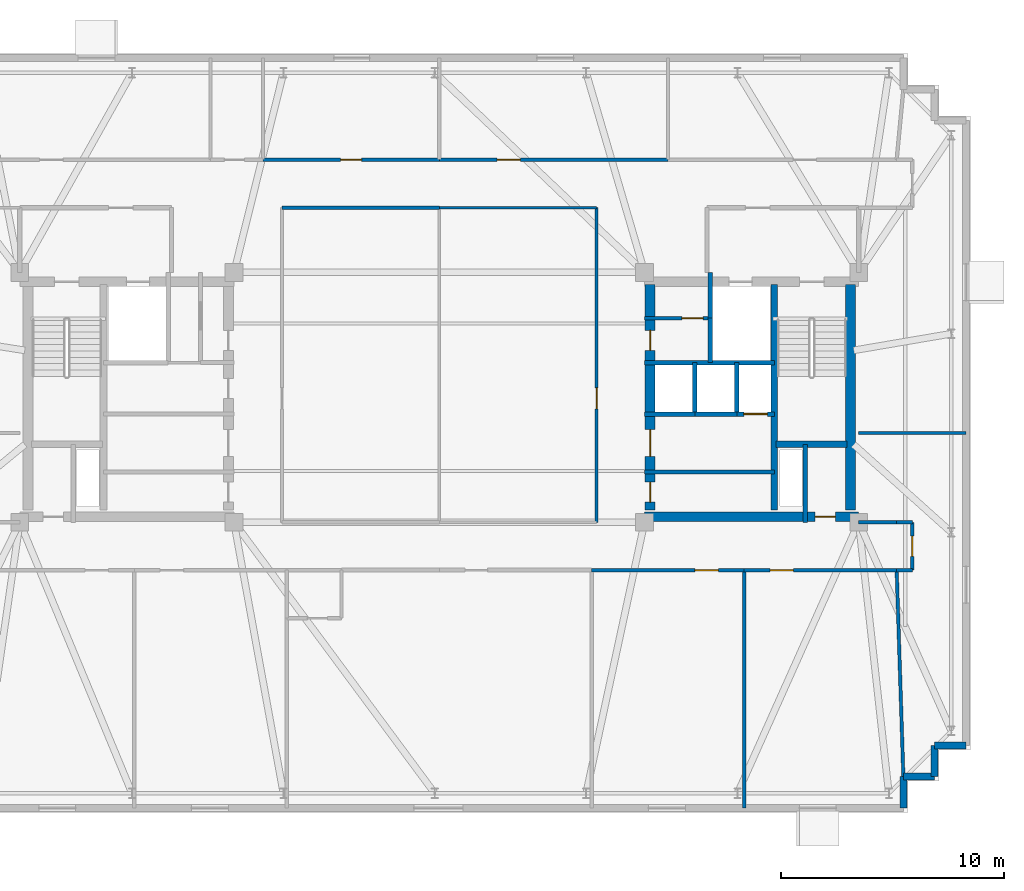
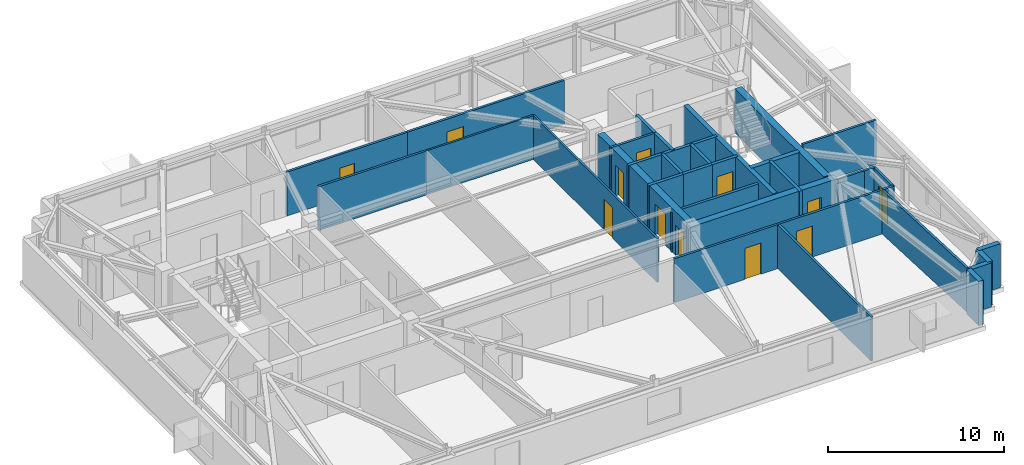
# One storey, part 7 of 10: 34 walls, 12 doors, 12 openings.
"""IFC4 building model written with IfcOpenShell, lengths in metres."""

from ifc_helpers import new_model, si_unit, direction, frame, frame_2d, origin, place, context, subcontext, project, spatial, rectangle, extrude, material, layer, layer_set, type_object, element, fill, save


model = new_model("IFC4")

# Units and contexts
model_context = context("Model", 3, precision=1e-05, world=origin(), true_north=direction((0.0, 1.0)))
body_context = subcontext(model_context, "Body", "Model", "MODEL_VIEW")
ifc_project = project(units=[si_unit("LENGTHUNIT", "METRE"), si_unit("AREAUNIT", "SQUARE_METRE"), si_unit("VOLUMEUNIT", "CUBIC_METRE"), si_unit("PLANEANGLEUNIT", "RADIAN"), si_unit("MASSUNIT", "GRAM", prefix="KILO")], contexts=[model_context])

# Site, building, storey
site_placement = place(None, origin())
site = spatial("IfcSite", under=ifc_project, at=site_placement, CompositionType="ELEMENT")
building_placement = place(site_placement, origin())
building = spatial("IfcBuilding", under=site, at=building_placement, Name="Qobustan Lattice House", CompositionType="ELEMENT")
storey_placement = place(building_placement, frame((0.0, 0.0, 238.35009765625)))
storey = spatial("IfcBuildingStorey", under=building, at=storey_placement, Name="L67", CompositionType="ELEMENT", Elevation=238.35009765625)

# Wall, opening, door
ifc_material_1 = material(Name="Concrete C50/60", Category="concrete")
ifc_layer_1 = layer(ifc_material_1, 0.43994140625)
ifc_layer_set_1 = layer_set([ifc_layer_1], Name="Concrete C50/60")
wall_type_1 = type_object("IfcWallType", Name="WAL-CORE-440", PredefinedType="SHEAR", material=ifc_layer_set_1)
wall_1_placement = place(storey_placement, frame((9.199951171875, -5.35009765625, 0.0), z_axis=(0.0, 0.0, 1.0), x_axis=(1.0, 0.0, 0.0)))
wall_1 = element("IfcWall", 1, at=wall_1_placement, inside=storey, type_object=wall_type_1, Name="L67 split-core shear wall CE-S", PredefinedType="SHEAR", context=body_context, shape_type="SweptSolid", body=[
    extrude(rectangle(XDim=9.60009765625, YDim=0.43994140625, at=frame_2d((4.800048828125, 0.0))), origin(), (0.0, 0.0, 1.0), 3.039794921875),
])
opening_1_placement = place(wall_1_placement, frame((7.64990234375, 0.0, 0.0)))
opening_1 = element("IfcOpeningElement", 2, at=opening_1_placement, cuts=wall_1, Name="Opening RD-01", PredefinedType="OPENING", context=body_context, shape_type="SweptSolid", body=[
    extrude(rectangle(XDim=0.89990234375, YDim=2.10009765625, at=frame_2d((0.449951171875, 1.050048828125))), frame((0.0, 0.22998046875, 0.0), z_axis=(0.0, -1.0, 0.0), x_axis=(1.0, 0.0, 0.0)), (0.0, 0.0, 1.0), 0.4599609375),
])
ifc_material_2 = material(Name="Persian walnut timber and steel frame door", Category="steel")
door_type_1 = type_object("IfcDoorType", Name="DOR-RISER-FD-900x2100", OperationType="NOTDEFINED", PredefinedType="DOOR", material=ifc_material_2)
door_1_placement = place(opening_1_placement, origin())
door_1 = element("IfcDoor", 3, at=door_1_placement, inside=storey, type_object=door_type_1, Name="L67 core service riser access door E", OperationType="SINGLE_SWING_LEFT", OverallHeight=2.10009765625, OverallWidth=0.89990234375, PredefinedType="DOOR", context=body_context, shape_type="SweptSolid", body=[
    extrude(rectangle(XDim=0.89990234375, YDim=2.10009765625, at=frame_2d((0.449951171875, 1.050048828125))), frame((0.0, 0.02490234375, 0.0), z_axis=(0.0, -1.0, 0.0), x_axis=(1.0, 0.0, 0.0)), (0.0, 0.0, 1.0), 0.050048828125),
])
fill(opening_1, door_1)

# Wall, openings, doors
wall_2_placement = place(storey_placement, frame((9.449951171875, -5.050048828125, 0.0), z_axis=(0.0, 0.0, 1.0), x_axis=(0.0, 1.0, 0.0)))
wall_2 = element("IfcWall", 4, at=wall_2_placement, inside=storey, type_object=wall_type_1, Name="L67 split-core shear wall CE-W", PredefinedType="SHEAR", context=body_context, shape_type="SweptSolid", body=[
    extrude(rectangle(XDim=10.10009765625, YDim=0.43994140625, at=frame_2d((5.050048828125, 0.0))), origin(), (0.0, 0.0, 1.0), 3.039794921875),
])
opening_2_placement = place(wall_2_placement, frame((7.14990234375, 0.0, 0.0)))
opening_2 = element("IfcOpeningElement", 5, at=opening_2_placement, cuts=wall_2, Name="Opening RD-01", PredefinedType="OPENING", context=body_context, shape_type="SweptSolid", body=[
    extrude(rectangle(XDim=0.89990234375, YDim=2.10009765625, at=frame_2d((0.449951171875, 1.050048828125))), frame((0.0, 0.22998046875, 0.0), z_axis=(0.0, -1.0, 0.0), x_axis=(1.0, 0.0, 0.0)), (0.0, 0.0, 1.0), 0.4599609375),
])
opening_3_placement = place(wall_2_placement, frame((2.39990234375, 0.0, 0.0)))
opening_3 = element("IfcOpeningElement", 6, at=opening_3_placement, cuts=wall_2, Name="Opening FD-01", PredefinedType="OPENING", context=body_context, shape_type="SweptSolid", body=[
    extrude(rectangle(XDim=1.199951171875, YDim=2.14990234375, at=frame_2d((0.60009765625, 1.074951171875))), frame((0.0, 0.22998046875, 0.0), z_axis=(0.0, -1.0, 0.0), x_axis=(1.0, 0.0, 0.0)), (0.0, 0.0, 1.0), 0.4599609375),
])
opening_4_placement = place(wall_2_placement, frame((0.35009765625, 0.0, 0.0)))
opening_4 = element("IfcOpeningElement", 7, at=opening_4_placement, cuts=wall_2, Name="Opening RD-01", PredefinedType="OPENING", context=body_context, shape_type="SweptSolid", body=[
    extrude(rectangle(XDim=0.89990234375, YDim=2.10009765625, at=frame_2d((0.449951171875, 1.050048828125))), frame((0.0, 0.22998046875, 0.0), z_axis=(0.0, -1.0, 0.0), x_axis=(1.0, 0.0, 0.0)), (0.0, 0.0, 1.0), 0.4599609375),
])
ifc_material_3 = material(Name="Persian walnut timber and steel frame door", Category="steel")
door_type_2 = type_object("IfcDoorType", Name="DOR-LOBBY-FD-1200x2150", OperationType="NOTDEFINED", PredefinedType="DOOR", material=ifc_material_3)
door_2_placement = place(opening_3_placement, origin())
door_2 = element("IfcDoor", 8, at=door_2_placement, inside=storey, type_object=door_type_2, Name="L67 East passenger lift lobby fire door", OperationType="SINGLE_SWING_LEFT", OverallHeight=2.14990234375, OverallWidth=1.199951171875, PredefinedType="DOOR", context=body_context, shape_type="SweptSolid", body=[
    extrude(rectangle(XDim=1.199951171875, YDim=2.14990234375, at=frame_2d((0.60009765625, 1.074951171875))), frame((0.0, 0.02490234375, 0.0), z_axis=(0.0, -1.0, 0.0), x_axis=(1.0, 0.0, 0.0)), (0.0, 0.0, 1.0), 0.050048828125),
])
fill(opening_3, door_2)
door_3_placement = place(opening_2_placement, origin())
door_3 = element("IfcDoor", 9, at=door_3_placement, inside=storey, type_object=door_type_1, Name="L67 Housekeeping utility foyer fire door", OperationType="SINGLE_SWING_RIGHT", OverallHeight=2.10009765625, OverallWidth=0.89990234375, PredefinedType="DOOR", context=body_context, shape_type="SweptSolid", body=[
    extrude(rectangle(XDim=0.89990234375, YDim=2.10009765625, at=frame_2d((0.449951171875, 1.050048828125))), frame((0.0, 0.02490234375, 0.0), z_axis=(0.0, -1.0, 0.0), x_axis=(1.0, 0.0, 0.0)), (0.0, 0.0, 1.0), 0.050048828125),
])
fill(opening_2, door_3)
door_4_placement = place(opening_4_placement, origin())
door_4 = element("IfcDoor", 10, at=door_4_placement, inside=storey, type_object=door_type_1, Name="L67 Graduate seminar alcove fire door", OperationType="SINGLE_SWING_RIGHT", OverallHeight=2.10009765625, OverallWidth=0.89990234375, PredefinedType="DOOR", context=body_context, shape_type="SweptSolid", body=[
    extrude(rectangle(XDim=0.89990234375, YDim=2.10009765625, at=frame_2d((0.449951171875, 1.050048828125))), frame((0.0, 0.02490234375, 0.0), z_axis=(0.0, -1.0, 0.0), x_axis=(1.0, 0.0, 0.0)), (0.0, 0.0, 1.0), 0.050048828125),
])
fill(opening_4, door_4)

# Walls
wall_3_placement = place(storey_placement, frame((18.429931640625, -5.050048828125, 0.0), z_axis=(0.0, 0.0, 1.0), x_axis=(0.0, 1.0, 0.0)))
element("IfcWall", 11, at=wall_3_placement, inside=storey, type_object=wall_type_1, Name="L67 split-core shear wall CE-E", PredefinedType="SHEAR", context=body_context, shape_type="SweptSolid", body=[
    extrude(rectangle(XDim=10.10009765625, YDim=0.43994140625, at=frame_2d((5.050048828125, 0.0))), origin(), (0.0, 0.0, 1.0), 3.039794921875),
])
ifc_material_4 = material(Name="Concrete C50/60", Category="concrete")
ifc_layer_2 = layer(ifc_material_4, 0.280029296875)
ifc_layer_set_2 = layer_set([ifc_layer_2], Name="Concrete C50/60")
wall_type_2 = type_object("IfcWallType", Name="WAL-CORE-SPINE-280", PredefinedType="SHEAR", material=ifc_layer_set_2)
wall_4_placement = place(storey_placement, frame((15.02001953125, -5.050048828125, 0.0), z_axis=(0.0, 0.0, 1.0), x_axis=(0.0, 1.0, 0.0)))
element("IfcWall", 12, at=wall_4_placement, inside=storey, type_object=wall_type_2, Name="L67 split-core shear wall CE-M", PredefinedType="SHEAR", context=body_context, shape_type="SweptSolid", body=[
    extrude(rectangle(XDim=10.10009765625, YDim=0.300048828125, at=frame_2d((5.050048828125, 0.0))), origin(), (0.0, 0.0, 1.0), 3.039794921875),
])
wall_5_placement = place(storey_placement, frame((15.10009765625, -2.110107421875, 0.0), z_axis=(0.0, 0.0, 1.0), x_axis=(1.0, 0.0, 0.0)))
element("IfcWall", 13, at=wall_5_placement, inside=storey, type_object=wall_type_2, Name="L67 split-core shear wall CE-ST", PredefinedType="SHEAR", context=body_context, shape_type="SweptSolid", body=[
    extrude(rectangle(XDim=3.179931640625, YDim=0.300048828125, at=frame_2d((1.58984375, 0.0))), origin(), (0.0, 0.0, 1.0), 3.039794921875),
])
ifc_material_5 = material(Name="Precast concrete C40/50", Category="concrete")
ifc_layer_3 = layer(ifc_material_5, 0.320068359375)
ifc_layer_set_3 = layer_set([ifc_layer_3], Name="Precast concrete C40/50")
wall_type_3 = type_object("IfcWallType", Name="WAL-EXT-STONE-320", PredefinedType="SOLIDWALL", material=ifc_layer_set_3)
wall_6_placement = place(storey_placement, frame((23.60009765625, -15.60009765625, 0.0), z_axis=(0.0, 0.0, 1.0), x_axis=(-1.0, 0.0, 0.0)))
element("IfcWall", 14, at=wall_6_placement, inside=storey, type_object=wall_type_3, Name="L67 exterior limestone-clad wall 16", PredefinedType="SOLIDWALL", context=body_context, shape_type="SweptSolid", body=[
    extrude(rectangle(XDim=1.400146484375, YDim=0.320068359375, at=frame_2d((0.7001953125, 0.0))), origin(), (0.0, 0.0, 1.0), 3.039794921875),
])
for number, where, z_axis, x_axis, name in (
    (15, (22.199951171875, -15.60009765625, 0.0), (0.0, 0.0, 1.0), (0.0, -1.0, 0.0), "L67 exterior limestone-clad wall 17"),
    (16, (22.199951171875, -17.0, 0.0), (0.0, 0.0, 1.0), (-1.0, 0.0, 0.0), "L67 exterior limestone-clad wall 18"),
    (17, (20.800048828125, -17.0, 0.0), (0.0, 0.0, 1.0), (0.0, -1.0, 0.0), "L67 exterior limestone-clad wall 19"),
):
    element("IfcWall", number, at=place(storey_placement, frame(where, z_axis=z_axis, x_axis=x_axis)), inside=storey, type_object=wall_type_3, Name=name, PredefinedType="SOLIDWALL", context=body_context, shape_type="SweptSolid", body=[
        extrude(rectangle(XDim=1.39990234375, YDim=0.320068359375, at=frame_2d((0.699951171875, 0.0))), origin(), (0.0, 0.0, 1.0), 3.039794921875),
    ])
ifc_material_6 = material(Name="Gypsum fireboard acoustic partition", Category="gypsum")
ifc_layer_4 = layer(ifc_material_6, 0.179931640625)
ifc_layer_set_4 = layer_set([ifc_layer_4], Name="Gypsum fireboard acoustic partition")
wall_type_4 = type_object("IfcWallType", Name="WAL-FIRE-180", PredefinedType="PARTITIONING", material=ifc_layer_set_4)
wall_7_placement = place(storey_placement, frame((9.199951171875, -3.35009765625, 0.0), z_axis=(0.0, 0.0, 1.0), x_axis=(1.0, 0.0, 0.0)))
element("IfcWall", 18, at=wall_7_placement, inside=storey, type_object=wall_type_4, Name="L67 interior partition 23", PredefinedType="PARTITIONING", context=body_context, shape_type="SweptSolid", body=[
    extrude(rectangle(XDim=5.820068359375, YDim=0.179931640625, at=frame_2d((2.91015625, 0.0))), origin(), (0.0, 0.0, 1.0), 2.7548828125),
])
ifc_material_7 = material(Name="Lightweight acoustic stud partition", Category="gypsum")
ifc_layer_5 = layer(ifc_material_7, 0.125)
ifc_layer_set_5 = layer_set([ifc_layer_5], Name="Lightweight acoustic stud partition")
wall_type_5 = type_object("IfcWallType", Name="WAL-PART-125", PredefinedType="PARTITIONING", material=ifc_layer_set_5)
wall_8_placement = place(storey_placement, frame((7.050048828125, 8.5, 0.0), z_axis=(0.0, 0.0, 1.0), x_axis=(-1.0, 0.0, 0.0)))
element("IfcWall", 19, at=wall_8_placement, inside=storey, type_object=wall_type_5, Name="L67 interior partition 45", PredefinedType="PARTITIONING", context=body_context, shape_type="SweptSolid", body=[
    extrude(rectangle(XDim=7.050048828125, YDim=0.125, at=frame_2d((3.52490234375, 0.0))), origin(), (0.0, 0.0, 1.0), 3.039794921875),
])

# Wall, opening, door
wall_9_placement = place(storey_placement, frame((7.050048828125, -5.60009765625, 0.0), z_axis=(0.0, 0.0, 1.0), x_axis=(0.0, 1.0, 0.0)))
wall_9 = element("IfcWall", 20, at=wall_9_placement, inside=storey, type_object=wall_type_5, Name="L67 interior partition 64", PredefinedType="PARTITIONING", context=body_context, shape_type="SweptSolid", body=[
    extrude(rectangle(XDim=14.10009765625, YDim=0.125, at=frame_2d((7.050048828125, 0.0))), origin(), (0.0, 0.0, 1.0), 3.039794921875),
])
opening_5_placement = place(wall_9_placement, frame((5.076171875, 0.0, 0.0)))
opening_5 = element("IfcOpeningElement", 21, at=opening_5_placement, cuts=wall_9, Name="Opening ID-01", PredefinedType="OPENING", context=body_context, shape_type="SweptSolid", body=[
    extrude(rectangle(XDim=0.949951171875, YDim=2.10009765625, at=frame_2d((0.47509765625, 1.050048828125))), frame((0.0, 0.072509765625, 0.0), z_axis=(0.0, -1.0, 0.0), x_axis=(1.0, 0.0, 0.0)), (0.0, 0.0, 1.0), 0.14501953125),
])
ifc_material_8 = material(Name="Persian walnut timber and steel frame door", Category="steel")
door_type_3 = type_object("IfcDoorType", Name="DOR-ROOM-950x2100", OperationType="NOTDEFINED", PredefinedType="DOOR", material=ifc_material_8)
door_5_placement = place(opening_5_placement, origin())
door_5 = element("IfcDoor", 22, at=door_5_placement, inside=storey, type_object=door_type_3, Name="L67 East floor link corridor to Focus pod suite door", OperationType="SINGLE_SWING_RIGHT", OverallHeight=2.10009765625, OverallWidth=0.949951171875, PredefinedType="DOOR", context=body_context, shape_type="SweptSolid", body=[
    extrude(rectangle(XDim=0.949951171875, YDim=2.10009765625, at=frame_2d((0.47509765625, 1.050048828125))), frame((0.0, 0.02490234375, 0.0), z_axis=(0.0, -1.0, 0.0), x_axis=(1.0, 0.0, 0.0)), (0.0, 0.0, 1.0), 0.050048828125),
])
fill(opening_5, door_5)

ifc_material_9 = material(Name="Acoustic twin-stud gypsum partition", Category="gypsum")
ifc_layer_6 = layer(ifc_material_9, 0.14990234375)
ifc_layer_set_6 = layer_set([ifc_layer_6], Name="Acoustic twin-stud gypsum partition")
wall_type_6 = type_object("IfcWallType", Name="WAL-PART-150", PredefinedType="PARTITIONING", material=ifc_layer_set_6)
wall_10_placement = place(storey_placement, frame((12.14990234375, 3.550048828125, 0.0), z_axis=(0.0, 0.0, 1.0), x_axis=(-1.0, 0.0, 0.0)))
wall_10 = element("IfcWall", 23, at=wall_10_placement, inside=storey, type_object=wall_type_6, Name="L67 interior partition 21", PredefinedType="PARTITIONING", context=body_context, shape_type="SweptSolid", body=[
    extrude(rectangle(XDim=2.949951171875, YDim=0.14990234375, at=frame_2d((1.47509765625, 0.0))), origin(), (0.0, 0.0, 1.0), 3.039794921875),
])
opening_6_placement = place(wall_10_placement, frame((0.324951171875, 0.0, 0.0)))
opening_6 = element("IfcOpeningElement", 24, at=opening_6_placement, cuts=wall_10, Name="Opening ID-01", PredefinedType="OPENING", context=body_context, shape_type="SweptSolid", body=[
    extrude(rectangle(XDim=0.949951171875, YDim=2.10009765625, at=frame_2d((0.47509765625, 1.050048828125))), frame((0.0, 0.0849609375, 0.0), z_axis=(0.0, -1.0, 0.0), x_axis=(1.0, 0.0, 0.0)), (0.0, 0.0, 1.0), 0.169921875),
])
door_6_placement = place(opening_6_placement, origin())
door_6 = element("IfcDoor", 25, at=door_6_placement, inside=storey, type_object=door_type_3, Name="L67 Housekeeping utility foyer to Cleaner cupboard door", OperationType="SINGLE_SWING_LEFT", OverallHeight=2.10009765625, OverallWidth=0.949951171875, PredefinedType="DOOR", context=body_context, shape_type="SweptSolid", body=[
    extrude(rectangle(XDim=0.949951171875, YDim=2.10009765625, at=frame_2d((0.47509765625, 1.050048828125))), frame((0.0, 0.02490234375, 0.0), z_axis=(0.0, -1.0, 0.0), x_axis=(1.0, 0.0, 0.0)), (0.0, 0.0, 1.0), 0.050048828125),
])
fill(opening_6, door_6)

wall_11_placement = place(storey_placement, frame((-7.89990234375, 10.64990234375, 0.0), z_axis=(0.0, 0.0, 1.0), x_axis=(1.0, 0.0, 0.0)))
wall_11 = element("IfcWall", 26, at=wall_11_placement, inside=storey, type_object=wall_type_6, Name="L67 interior partition 37", PredefinedType="PARTITIONING", context=body_context, shape_type="SweptSolid", body=[
    extrude(rectangle(XDim=7.89990234375, YDim=0.14990234375, at=frame_2d((3.949951171875, 0.0))), origin(), (0.0, 0.0, 1.0), 3.039794921875),
])
opening_7_placement = place(wall_11_placement, frame((3.47509765625, 0.0, 0.0)))
opening_7 = element("IfcOpeningElement", 27, at=opening_7_placement, cuts=wall_11, Name="Opening ID-01", PredefinedType="OPENING", context=body_context, shape_type="SweptSolid", body=[
    extrude(rectangle(XDim=0.949951171875, YDim=2.10009765625, at=frame_2d((0.47509765625, 1.050048828125))), frame((0.0, 0.0849609375, 0.0), z_axis=(0.0, -1.0, 0.0), x_axis=(1.0, 0.0, 0.0)), (0.0, 0.0, 1.0), 0.169921875),
])
door_7_placement = place(opening_7_placement, origin())
door_7 = element("IfcDoor", 28, at=door_7_placement, inside=storey, type_object=door_type_3, Name="L67 North-west floor corridor to Laundry utility room door", OperationType="SINGLE_SWING_RIGHT", OverallHeight=2.10009765625, OverallWidth=0.949951171875, PredefinedType="DOOR", context=body_context, shape_type="SweptSolid", body=[
    extrude(rectangle(XDim=0.949951171875, YDim=2.10009765625, at=frame_2d((0.47509765625, 1.050048828125))), frame((0.0, 0.02490234375, 0.0), z_axis=(0.0, -1.0, 0.0), x_axis=(1.0, 0.0, 0.0)), (0.0, 0.0, 1.0), 0.050048828125),
])
fill(opening_7, door_7)

# Wall
wall_12_placement = place(storey_placement, frame((0.0, 8.5, 0.0), z_axis=(0.0, 0.0, 1.0), x_axis=(-1.0, 0.0, 0.0)))
element("IfcWall", 29, at=wall_12_placement, inside=storey, type_object=wall_type_6, Name="L67 interior partition 38", PredefinedType="PARTITIONING", context=body_context, shape_type="SweptSolid", body=[
    extrude(rectangle(XDim=7.050048828125, YDim=0.14990234375, at=frame_2d((3.52490234375, 0.0))), origin(), (0.0, 0.0, 1.0), 3.039794921875),
])

# Wall, opening, door
wall_13_placement = place(storey_placement, frame((0.0, 10.64990234375, 0.0), z_axis=(0.0, 0.0, 1.0), x_axis=(1.0, 0.0, 0.0)))
wall_13 = element("IfcWall", 30, at=wall_13_placement, inside=storey, type_object=wall_type_6, Name="L67 interior partition 43", PredefinedType="PARTITIONING", context=body_context, shape_type="SweptSolid", body=[
    extrude(rectangle(XDim=10.25, YDim=0.14990234375, at=frame_2d((5.125, 0.0))), origin(), (0.0, 0.0, 1.0), 3.039794921875),
])
opening_8_placement = place(wall_13_placement, frame((2.590087890625, 0.0, 0.0)))
opening_8 = element("IfcOpeningElement", 31, at=opening_8_placement, cuts=wall_13, Name="Opening ID-02", PredefinedType="OPENING", context=body_context, shape_type="SweptSolid", body=[
    extrude(rectangle(XDim=1.050048828125, YDim=2.14990234375, at=frame_2d((0.52490234375, 1.074951171875))), frame((0.0, 0.0849609375, 0.0), z_axis=(0.0, -1.0, 0.0), x_axis=(1.0, 0.0, 0.0)), (0.0, 0.0, 1.0), 0.169921875),
])
ifc_material_10 = material(Name="Persian walnut timber and steel frame door", Category="steel")
door_type_4 = type_object("IfcDoorType", Name="DOR-STUDY-1050x2150", OperationType="NOTDEFINED", PredefinedType="DOOR", material=ifc_material_10)
door_8_placement = place(opening_8_placement, origin())
door_8 = element("IfcDoor", 32, at=door_8_placement, inside=storey, type_object=door_type_4, Name="L67 North-east floor corridor to Focus study room N3 door", OperationType="SINGLE_SWING_RIGHT", OverallHeight=2.14990234375, OverallWidth=1.050048828125, PredefinedType="DOOR", context=body_context, shape_type="SweptSolid", body=[
    extrude(rectangle(XDim=1.050048828125, YDim=2.14990234375, at=frame_2d((0.52490234375, 1.074951171875))), frame((0.0, 0.02490234375, 0.0), z_axis=(0.0, -1.0, 0.0), x_axis=(1.0, 0.0, 0.0)), (0.0, 0.0, 1.0), 0.050048828125),
])
fill(opening_8, door_8)

wall_14_placement = place(storey_placement, frame((21.199951171875, -5.60009765625, 0.0), z_axis=(0.0, 0.0, 1.0), x_axis=(0.0, -1.0, 0.0)))
wall_14 = element("IfcWall", 33, at=wall_14_placement, inside=storey, type_object=wall_type_6, Name="L67 interior partition 55", PredefinedType="PARTITIONING", context=body_context, shape_type="SweptSolid", body=[
    extrude(rectangle(XDim=2.14990234375, YDim=0.14990234375, at=frame_2d((1.074951171875, 0.0))), origin(), (0.0, 0.0, 1.0), 3.039794921875),
])
opening_9_placement = place(wall_14_placement, frame((0.625, 0.0, 0.0)))
opening_9 = element("IfcOpeningElement", 34, at=opening_9_placement, cuts=wall_14, Name="Opening WD-01", PredefinedType="OPENING", context=body_context, shape_type="SweptSolid", body=[
    extrude(rectangle(XDim=0.89990234375, YDim=2.10009765625, at=frame_2d((0.449951171875, 1.050048828125))), frame((0.0, 0.0849609375, 0.0), z_axis=(0.0, -1.0, 0.0), x_axis=(1.0, 0.0, 0.0)), (0.0, 0.0, 1.0), 0.169921875),
])
ifc_material_11 = material(Name="Persian walnut timber and steel frame door", Category="steel")
door_type_5 = type_object("IfcDoorType", Name="DOR-WET-900x2100", OperationType="NOTDEFINED", PredefinedType="DOOR", material=ifc_material_11)
door_9_placement = place(opening_9_placement, origin())
door_9 = element("IfcDoor", 35, at=door_9_placement, inside=storey, type_object=door_type_5, Name="L67 South-east floor corridor to Fellows reading room door", OperationType="SINGLE_SWING_LEFT", OverallHeight=2.10009765625, OverallWidth=0.89990234375, PredefinedType="DOOR", context=body_context, shape_type="SweptSolid", body=[
    extrude(rectangle(XDim=0.89990234375, YDim=2.10009765625, at=frame_2d((0.449951171875, 1.050048828125))), frame((0.0, 0.02490234375, 0.0), z_axis=(0.0, -1.0, 0.0), x_axis=(1.0, 0.0, 0.0)), (0.0, 0.0, 1.0), 0.050048828125),
])
fill(opening_9, door_9)

# Walls
wall_15_placement = place(storey_placement, frame((18.800048828125, -5.60009765625, 0.0), z_axis=(0.0, 0.0, 1.0), x_axis=(1.0, 0.0, 0.0)))
element("IfcWall", 36, at=wall_15_placement, inside=storey, type_object=wall_type_6, Name="L67 interior partition 56", PredefinedType="PARTITIONING", context=body_context, shape_type="SweptSolid", body=[
    extrude(rectangle(XDim=1.699951171875, YDim=0.14990234375, at=frame_2d((0.85009765625, 0.0))), origin(), (0.0, 0.0, 1.0), 3.039794921875),
])
for number, where, z_axis, x_axis, name in (
    (37, (20.5, -5.60009765625, 0.0), (0.0, 0.0, 1.0), (1.0, 0.0, 0.0), "L67 interior partition 57"),
    (38, (21.199951171875, -7.75, 0.0), (0.0, 0.0, 1.0), (-1.0, 0.0, 0.0), "L67 interior partition 58"),
):
    element("IfcWall", number, at=place(storey_placement, frame(where, z_axis=z_axis, x_axis=x_axis)), inside=storey, type_object=wall_type_6, Name=name, PredefinedType="PARTITIONING", context=body_context, shape_type="SweptSolid", body=[
        extrude(rectangle(XDim=0.699951171875, YDim=0.14990234375, at=frame_2d((0.35009765625, 0.0))), origin(), (0.0, 0.0, 1.0), 3.039794921875),
    ])

# Wall, opening, door
wall_16_placement = place(storey_placement, frame((13.66650390625, -7.75, 0.0), z_axis=(0.0, 0.0, 1.0), x_axis=(-1.0, 0.0, 0.0)))
wall_16 = element("IfcWall", 39, at=wall_16_placement, inside=storey, type_object=wall_type_6, Name="L67 interior partition 60", PredefinedType="PARTITIONING", context=body_context, shape_type="SweptSolid", body=[
    extrude(rectangle(XDim=6.83349609375, YDim=0.14990234375, at=frame_2d((3.416748046875, 0.0))), origin(), (0.0, 0.0, 1.0), 3.039794921875),
])
opening_10_placement = place(wall_16_placement, frame((1.157958984375, 0.0, 0.0)))
opening_10 = element("IfcOpeningElement", 40, at=opening_10_placement, cuts=wall_16, Name="Opening ID-02", PredefinedType="OPENING", context=body_context, shape_type="SweptSolid", body=[
    extrude(rectangle(XDim=1.050048828125, YDim=2.14990234375, at=frame_2d((0.52490234375, 1.074951171875))), frame((0.0, 0.0849609375, 0.0), z_axis=(0.0, -1.0, 0.0), x_axis=(1.0, 0.0, 0.0)), (0.0, 0.0, 1.0), 0.169921875),
])
door_10_placement = place(opening_10_placement, origin())
door_10 = element("IfcDoor", 41, at=door_10_placement, inside=storey, type_object=door_type_4, Name="L67 South-east floor corridor to Group study room door", OperationType="SINGLE_SWING_LEFT", OverallHeight=2.14990234375, OverallWidth=1.050048828125, PredefinedType="DOOR", context=body_context, shape_type="SweptSolid", body=[
    extrude(rectangle(XDim=1.050048828125, YDim=2.14990234375, at=frame_2d((0.52490234375, 1.074951171875))), frame((0.0, 0.02490234375, 0.0), z_axis=(0.0, -1.0, 0.0), x_axis=(1.0, 0.0, 0.0)), (0.0, 0.0, 1.0), 0.050048828125),
])
fill(opening_10, door_10)

wall_17_placement = place(storey_placement, frame((20.5, -7.75, 0.0), z_axis=(0.0, 0.0, 1.0), x_axis=(-1.0, 0.0, 0.0)))
wall_17 = element("IfcWall", 42, at=wall_17_placement, inside=storey, type_object=wall_type_6, Name="L67 interior partition 61", PredefinedType="PARTITIONING", context=body_context, shape_type="SweptSolid", body=[
    extrude(rectangle(XDim=6.83349609375, YDim=0.14990234375, at=frame_2d((3.416748046875, 0.0))), origin(), (0.0, 0.0, 1.0), 3.039794921875),
])
opening_11_placement = place(wall_17_placement, frame((4.62548828125, 0.0, 0.0)))
opening_11 = element("IfcOpeningElement", 43, at=opening_11_placement, cuts=wall_17, Name="Opening ID-02", PredefinedType="OPENING", context=body_context, shape_type="SweptSolid", body=[
    extrude(rectangle(XDim=1.050048828125, YDim=2.14990234375, at=frame_2d((0.52490234375, 1.074951171875))), frame((0.0, 0.0849609375, 0.0), z_axis=(0.0, -1.0, 0.0), x_axis=(1.0, 0.0, 0.0)), (0.0, 0.0, 1.0), 0.169921875),
])
door_11_placement = place(opening_11_placement, origin())
door_11 = element("IfcDoor", 44, at=door_11_placement, inside=storey, type_object=door_type_4, Name="L67 South-east floor corridor to Academic seminar room door", OperationType="SINGLE_SWING_RIGHT", OverallHeight=2.14990234375, OverallWidth=1.050048828125, PredefinedType="DOOR", context=body_context, shape_type="SweptSolid", body=[
    extrude(rectangle(XDim=1.050048828125, YDim=2.14990234375, at=frame_2d((0.52490234375, 1.074951171875))), frame((0.0, 0.02490234375, 0.0), z_axis=(0.0, -1.0, 0.0), x_axis=(1.0, 0.0, 0.0)), (0.0, 0.0, 1.0), 0.050048828125),
])
fill(opening_11, door_11)

# Walls
wall_18_placement = place(storey_placement, frame((18.800048828125, -1.60009765625, 0.0), z_axis=(0.0, 0.0, 1.0), x_axis=(1.0, 0.0, 0.0)))
element("IfcWall", 45, at=wall_18_placement, inside=storey, type_object=wall_type_6, Name="L67 interior partition 68", PredefinedType="PARTITIONING", context=body_context, shape_type="SweptSolid", body=[
    extrude(rectangle(XDim=4.800048828125, YDim=0.14990234375, at=frame_2d((2.39990234375, 0.0))), origin(), (0.0, 0.0, 1.0), 3.039794921875),
])
wall_19_placement = place(storey_placement, frame((20.800048828125, -17.0, 0.0), z_axis=(0.0, 0.0, 1.0), x_axis=(-0.032420659042, 0.99947431226, 0.0)))
element("IfcWall", 46, at=wall_19_placement, inside=storey, type_object=wall_type_6, Name="L67 interior partition 69", PredefinedType="PARTITIONING", context=body_context, shape_type="SweptSolid", body=[
    extrude(rectangle(XDim=9.2548828125, YDim=0.14990234375, at=frame_2d((4.62744140625, 0.0))), origin(), (0.0, 0.0, 1.0), 3.039794921875),
])
wall_20_placement = place(storey_placement, frame((13.66650390625, -7.75, 0.0), z_axis=(0.0, 0.0, 1.0), x_axis=(0.0, -1.0, 0.0)))
element("IfcWall", 47, at=wall_20_placement, inside=storey, type_object=wall_type_6, Name="L67 interior partition 81", PredefinedType="PARTITIONING", context=body_context, shape_type="SweptSolid", body=[
    extrude(rectangle(XDim=10.64990234375, YDim=0.14990234375, at=frame_2d((5.324951171875, 0.0))), origin(), (0.0, 0.0, 1.0), 3.039794921875),
])
ifc_material_12 = material(Name="Concrete C40/50", Category="concrete")
ifc_layer_7 = layer(ifc_material_12, 0.199951171875)
ifc_layer_set_7 = layer_set([ifc_layer_7], Name="Concrete C40/50")
wall_type_7 = type_object("IfcWallType", Name="WAL-SHAFT-200", PredefinedType="PARTITIONING", material=ifc_layer_set_7)
wall_21_placement = place(storey_placement, frame((16.39990234375, -2.110107421875, 0.0), z_axis=(0.0, 0.0, 1.0), x_axis=(0.0, -1.0, 0.0)))
element("IfcWall", 48, at=wall_21_placement, inside=storey, type_object=wall_type_7, Name="L67 interior partition 15", PredefinedType="PARTITIONING", context=body_context, shape_type="SweptSolid", body=[
    extrude(rectangle(XDim=3.489990234375, YDim=0.199951171875, at=frame_2d((1.7451171875, 0.0))), origin(), (0.0, 0.0, 1.0), 3.039794921875),
])
wall_22_placement = place(storey_placement, frame((12.14990234375, 3.550048828125, 0.0), z_axis=(0.0, 0.0, 1.0), x_axis=(0.0, -1.0, 0.0)))
element("IfcWall", 49, at=wall_22_placement, inside=storey, type_object=wall_type_7, Name="L67 interior partition 16", PredefinedType="PARTITIONING", context=body_context, shape_type="SweptSolid", body=[
    extrude(rectangle(XDim=2.0, YDim=0.199951171875, at=frame_2d((1.0, 0.0))), origin(), (0.0, 0.0, 1.0), 3.039794921875),
])
wall_23_placement = place(storey_placement, frame((12.14990234375, 5.60009765625, 0.0), z_axis=(0.0, 0.0, 1.0), x_axis=(0.0, -1.0, 0.0)))
element("IfcWall", 50, at=wall_23_placement, inside=storey, type_object=wall_type_7, Name="L67 interior partition 17", PredefinedType="PARTITIONING", context=body_context, shape_type="SweptSolid", body=[
    extrude(rectangle(XDim=2.050048828125, YDim=0.199951171875, at=frame_2d((1.02490234375, 0.0))), origin(), (0.0, 0.0, 1.0), 3.039794921875),
])
wall_24_placement = place(storey_placement, frame((11.4599609375, -0.75, 0.0), z_axis=(0.0, 0.0, 1.0), x_axis=(-1.0, 0.0, 0.0)))
element("IfcWall", 51, at=wall_24_placement, inside=storey, type_object=wall_type_7, Name="L67 interior partition 24", PredefinedType="PARTITIONING", context=body_context, shape_type="SweptSolid", body=[
    extrude(rectangle(XDim=2.260009765625, YDim=0.199951171875, at=frame_2d((1.1298828125, 0.0))), origin(), (0.0, 0.0, 1.0), 3.039794921875),
])
wall_25_placement = place(storey_placement, frame((13.340087890625, -0.75, 0.0), z_axis=(0.0, 0.0, 1.0), x_axis=(-1.0, 0.0, 0.0)))
element("IfcWall", 52, at=wall_25_placement, inside=storey, type_object=wall_type_7, Name="L67 interior partition 25", PredefinedType="PARTITIONING", context=body_context, shape_type="SweptSolid", body=[
    extrude(rectangle(XDim=1.880126953125, YDim=0.199951171875, at=frame_2d((0.93994140625, 0.0))), origin(), (0.0, 0.0, 1.0), 3.039794921875),
])

# Wall, opening, door
wall_26_placement = place(storey_placement, frame((15.02001953125, -0.75, 0.0), z_axis=(0.0, 0.0, 1.0), x_axis=(-1.0, 0.0, 0.0)))
wall_26 = element("IfcWall", 53, at=wall_26_placement, inside=storey, type_object=wall_type_7, Name="L67 interior partition 26", PredefinedType="PARTITIONING", context=body_context, shape_type="SweptSolid", body=[
    extrude(rectangle(XDim=1.679931640625, YDim=0.199951171875, at=frame_2d((0.83984375, 0.0))), origin(), (0.0, 0.0, 1.0), 3.039794921875),
])
opening_12_placement = place(wall_26_placement, frame((0.31494140625, 0.0, 0.0)))
opening_12 = element("IfcOpeningElement", 54, at=opening_12_placement, cuts=wall_26, Name="Opening LD-01", PredefinedType="OPENING", context=body_context, shape_type="SweptSolid", body=[
    extrude(rectangle(XDim=1.050048828125, YDim=2.10009765625, at=frame_2d((0.52490234375, 1.050048828125))), frame((0.0, 0.10986328125, 0.0), z_axis=(0.0, -1.0, 0.0), x_axis=(1.0, 0.0, 0.0)), (0.0, 0.0, 1.0), 0.219970703125),
])
ifc_material_13 = material(Name="Persian walnut timber and steel frame door", Category="steel")
door_type_6 = type_object("IfcDoorType", Name="DOR-LIFT-LD-1050x2100", OperationType="NOTDEFINED", PredefinedType="DOOR", material=ifc_material_13)
door_12_placement = place(opening_12_placement, origin())
door_12 = element("IfcDoor", 55, at=door_12_placement, inside=storey, type_object=door_type_6, Name="L67 lift landing door", OperationType="DOUBLE_DOOR_SLIDING", OverallHeight=2.10009765625, OverallWidth=1.050048828125, PredefinedType="DOOR", context=body_context, shape_type="SweptSolid", body=[
    extrude(rectangle(XDim=1.050048828125, YDim=2.10009765625, at=frame_2d((0.52490234375, 1.050048828125))), frame((0.0, 0.02490234375, 0.0), z_axis=(0.0, -1.0, 0.0), x_axis=(1.0, 0.0, 0.0)), (0.0, 0.0, 1.0), 0.050048828125),
])
fill(opening_12, door_12)

# Walls
for number, where, z_axis, x_axis, name in (
    (56, (11.4599609375, -0.75, 0.0), (0.0, 0.0, 1.0), (0.0, 1.0, 0.0), "L67 interior partition 29"),
    (57, (13.340087890625, -0.75, 0.0), (0.0, 0.0, 1.0), (0.0, 1.0, 0.0), "L67 interior partition 30"),
):
    element("IfcWall", number, at=place(storey_placement, frame(where, z_axis=z_axis, x_axis=x_axis)), inside=storey, type_object=wall_type_7, Name=name, PredefinedType="PARTITIONING", context=body_context, shape_type="SweptSolid", body=[
        extrude(rectangle(XDim=2.300048828125, YDim=0.199951171875, at=frame_2d((1.14990234375, 0.0))), origin(), (0.0, 0.0, 1.0), 3.039794921875),
    ])
wall_27_placement = place(storey_placement, frame((9.199951171875, 1.550048828125, 0.0), z_axis=(0.0, 0.0, 1.0), x_axis=(1.0, 0.0, 0.0)))
element("IfcWall", 58, at=wall_27_placement, inside=storey, type_object=wall_type_7, Name="L67 interior partition 84", PredefinedType="PARTITIONING", context=body_context, shape_type="SweptSolid", body=[
    extrude(rectangle(XDim=5.820068359375, YDim=0.199951171875, at=frame_2d((2.91015625, 0.0))), origin(), (0.0, 0.0, 1.0), 3.039794921875),
])

save(model, "model.ifc")
